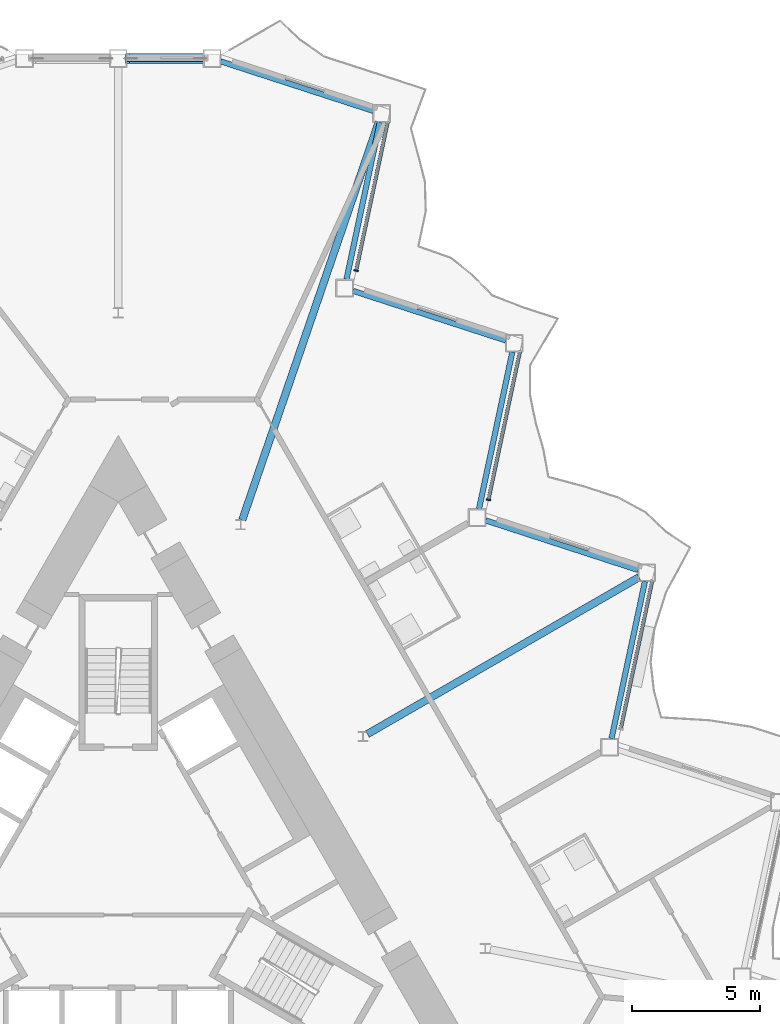
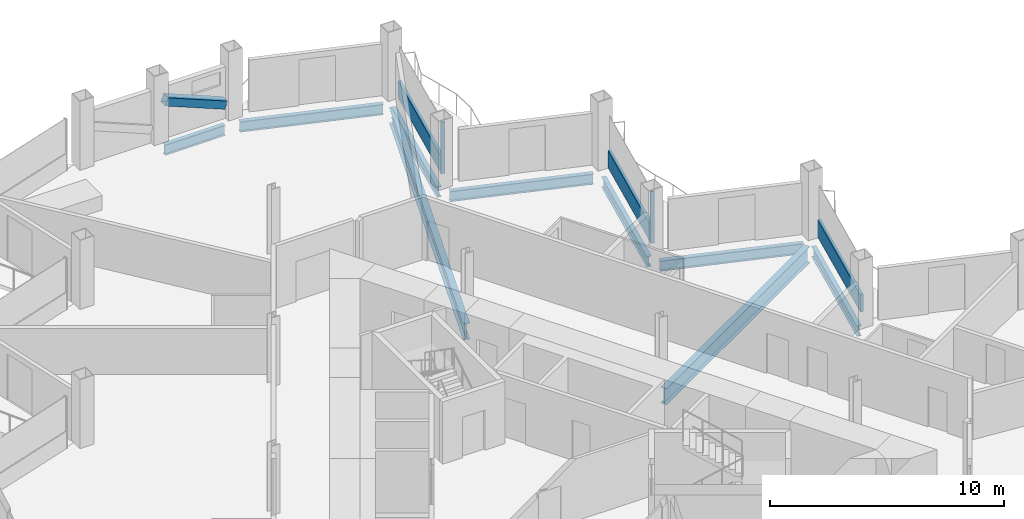
# One storey, part 9 of 23: 9 beams, 6 members, 3 elements without a shape of their own.
"""IFC4 building model written with IfcOpenShell, lengths in metres."""

from ifc_helpers import new_model, si_unit, direction, frame, origin, origin_2d, place, context, subcontext, project, spatial, rectangle, hollow_rectangle, i_section, extrude, material, layer, layer_set, material_profile, profile_set, type_object, element, aggregate, save


model = new_model("IFC4")

# Units and contexts
model_context = context("Model", 3, precision=1e-05, world=origin(), true_north=direction((0.0, 1.0)))
body_context = subcontext(model_context, "Body", "Model", "MODEL_VIEW")
ifc_project = project(units=[si_unit("LENGTHUNIT", "METRE"), si_unit("AREAUNIT", "SQUARE_METRE"), si_unit("VOLUMEUNIT", "CUBIC_METRE"), si_unit("PLANEANGLEUNIT", "RADIAN"), si_unit("MASSUNIT", "GRAM", prefix="KILO")], contexts=[model_context])

# Site, building, storey
site_placement = place(None, origin())
site = spatial("IfcSite", under=ifc_project, at=site_placement, CompositionType="ELEMENT")
building_placement = place(site_placement, origin())
building = spatial("IfcBuilding", under=site, at=building_placement, Name="Cormorant Prow Tower", CompositionType="ELEMENT")
storey_placement = place(building_placement, frame((0.0, 0.0, 259.800048828125)))
storey = spatial("IfcBuildingStorey", under=building, at=storey_placement, Name="L58", CompositionType="ELEMENT", Elevation=259.800048828125)

# Member
ifc_material_1 = material(Name="Structural steel ASTM A500 Gr C", Category="steel")
ifc_material_profile_1 = material_profile(ifc_material_1, hollow_rectangle(XDim=0.406494140625, YDim=0.406494140625, WallThickness=0.01171875, at=origin_2d()), Name="HSS16x16x1/2")
ifc_profile_set_1 = profile_set([ifc_material_profile_1], Name="Structural steel ASTM A500 Gr C")
member_type_1 = type_object("IfcMemberType", Name="Chamfer brace HSS16x16x1/2", PredefinedType="BRACE", material=ifc_profile_set_1)
member_1_placement = place(storey_placement, frame((3.3046875, 32.073486328125, 0.74951171875), z_axis=(-0.925591042089, 0.0, 0.37852506232), x_axis=(0.0, -1.0, 0.0)))
element("IfcMember", 1, at=member_1_placement, inside=storey, type_object=member_type_1, Name="Chamfer brace BR2 at N00 L58", PredefinedType="BRACE", context=body_context, shape_type="SweptSolid", body=[
    extrude(hollow_rectangle(XDim=0.406494140625, YDim=0.406494140625, WallThickness=0.01171875, at=origin_2d()), origin(), (0.0, 0.0, 1.0), 3.17529296875),
])

# Curtain wall, member
ifc_material_2 = material(Name="Aluminium 6063-T6", Category="aluminium")
ifc_layer = layer(ifc_material_2, 0.179931640625)
ifc_layer_set = layer_set([ifc_layer], Name="Aluminium 6063-T6")
curtain_wall_type = type_object("IfcCurtainWallType", Name="Hotel unitised curtain wall 180", PredefinedType="NOTDEFINED", material=ifc_layer_set)
curtain_wall_1_placement = place(storey_placement, origin())
curtain_wall_1 = element("IfcCurtainWall", 2, at=curtain_wall_1_placement, inside=storey, type_object=curtain_wall_type, Name="Hotel curtain wall ENE06", PredefinedType="NOTDEFINED")
ifc_material_3 = material(Name="Aluminium 6063-T6", Category="aluminium")
ifc_material_profile_2 = material_profile(ifc_material_3, rectangle(XDim=0.179931640625, YDim=0.06005859375, at=origin_2d()), Name="Hotel mullion 60x180")
ifc_profile_set_2 = profile_set([ifc_material_profile_2], Name="Aluminium 6063-T6")
member_type_2 = type_object("IfcMemberType", Name="Hotel mullion 60x180", PredefinedType="MULLION", material=ifc_profile_set_2)
member_2_placement = place(storey_placement, frame((14.489013671875, 14.8017578125, 0.0), z_axis=(0.0, 0.0, 1.0), x_axis=(-0.978147572038, 0.207911825822, 0.0)))
member_2 = element("IfcMember", 3, at=member_2_placement, type_object=member_type_2, Name="Hotel mullion ENE06", PredefinedType="MULLION", context=body_context, shape_type="SweptSolid", body=[
    extrude(rectangle(XDim=0.179931640625, YDim=0.06005859375, at=origin_2d()), origin(), (0.0, 0.0, 1.0), 2.700927734375),
])

curtain_wall_2_placement = place(storey_placement, origin())
curtain_wall_2 = element("IfcCurtainWall", 4, at=curtain_wall_2_placement, inside=storey, type_object=curtain_wall_type, Name="Hotel curtain wall ENE08", PredefinedType="NOTDEFINED")
member_3_placement = place(storey_placement, frame((9.3095703125, 23.77294921875, 0.0), z_axis=(0.0, 0.0, 1.0), x_axis=(-0.978147601216, 0.207911688547, 0.0)))
member_3 = element("IfcMember", 5, at=member_3_placement, type_object=member_type_2, Name="Hotel mullion ENE08", PredefinedType="MULLION", context=body_context, shape_type="SweptSolid", body=[
    extrude(rectangle(XDim=0.179931640625, YDim=0.06005859375, at=origin_2d()), origin(), (0.0, 0.0, 1.0), 2.700927734375),
])

curtain_wall_3_placement = place(storey_placement, origin())
curtain_wall_3 = element("IfcCurtainWall", 6, at=curtain_wall_3_placement, inside=storey, type_object=curtain_wall_type, Name="Hotel curtain wall ENE04", PredefinedType="NOTDEFINED")
ifc_material_4 = material(Name="Terracotta", Category="masonry")
ifc_material_profile_3 = material_profile(ifc_material_4, rectangle(XDim=0.139892578125, YDim=0.89990234375, at=origin_2d()), Name="Hotel terracotta spandrel rail 140x900")
ifc_profile_set_3 = profile_set([ifc_material_profile_3], Name="Terracotta")
member_type_3 = type_object("IfcMemberType", Name="Hotel terracotta spandrel rail 140x900", PredefinedType="USERDEFINED", material=ifc_profile_set_3)
member_4_placement = place(storey_placement, frame((19.6748046875, 5.85986328125, 0.449951171875), z_axis=(0.20791164107, 0.978147611308, 0.0), x_axis=(-0.978147611308, 0.20791164107, 0.0)))
member_4 = element("IfcMember", 7, at=member_4_placement, type_object=member_type_3, Name="Hotel spandrel rail ENE04", ObjectType="TRANSOM", PredefinedType="USERDEFINED", context=body_context, shape_type="SweptSolid", body=[
    extrude(rectangle(XDim=0.139892578125, YDim=0.89990234375, at=origin_2d()), origin(), (0.0, 0.0, 1.0), 5.90771484375),
])
aggregate(curtain_wall_3, [member_4])

# Member
member_5_placement = place(storey_placement, frame((14.495361328125, 14.8310546875, 0.449951171875), z_axis=(0.20791164107, 0.978147611308, 0.0), x_axis=(-0.978147611308, 0.20791164107, 0.0)))
member_5 = element("IfcMember", 8, at=member_5_placement, type_object=member_type_3, Name="Hotel spandrel rail ENE06", ObjectType="TRANSOM", PredefinedType="USERDEFINED", context=body_context, shape_type="SweptSolid", body=[
    extrude(rectangle(XDim=0.139892578125, YDim=0.89990234375, at=origin_2d()), origin(), (0.0, 0.0, 1.0), 5.90771484375),
])

aggregate(curtain_wall_1, [member_2, member_5])

member_6_placement = place(storey_placement, frame((9.31591796875, 23.80224609375, 0.449951171875), z_axis=(0.20791164107, 0.978147611308, 0.0), x_axis=(-0.978147611308, 0.20791164107, 0.0)))
member_6 = element("IfcMember", 9, at=member_6_placement, type_object=member_type_3, Name="Hotel spandrel rail ENE08", ObjectType="TRANSOM", PredefinedType="USERDEFINED", context=body_context, shape_type="SweptSolid", body=[
    extrude(rectangle(XDim=0.139892578125, YDim=0.89990234375, at=origin_2d()), origin(), (0.0, 0.0, 1.0), 5.90771484375),
])

aggregate(curtain_wall_2, [member_3, member_6])

# Beams
ifc_material_5 = material(Name="Structural steel ASTM A992 Gr 50", Category="steel")
ifc_material_profile_4 = material_profile(ifc_material_5, i_section(OverallWidth=0.29296875, OverallDepth=0.845703125, WebThickness=0.015380859375, FlangeThickness=0.0244140625, at=origin_2d()), Name="W33x141")
ifc_profile_set_4 = profile_set([ifc_material_profile_4], Name="Structural steel ASTM A992 Gr 50")
beam_type_1 = type_object("IfcBeamType", Name="Radial floor beam W33x141", PredefinedType="BEAM", material=ifc_profile_set_4)
beam_1_placement = place(storey_placement, frame((9.751220703125, 5.6298828125, -0.77294921875), z_axis=(0.866021995826, 0.500005902711, 0.0), x_axis=(-0.500005902711, 0.866021995826, 0.0)))
element("IfcBeam", 10, at=beam_1_placement, inside=storey, type_object=beam_type_1, Name="Radial floor beam FB2 11 L58", PredefinedType="BEAM", context=body_context, shape_type="SweptSolid", body=[
    extrude(i_section(OverallWidth=0.29296875, OverallDepth=0.845703125, WebThickness=0.015380859375, FlangeThickness=0.0244140625, at=origin_2d()), origin(), (0.0, 0.0, 1.0), 12.277099609375),
])
beam_2_placement = place(storey_placement, frame((4.85400390625, 14.013916015625, -0.77294921875), z_axis=(0.324535507117, 0.945873514071, 0.0), x_axis=(-0.945873514071, 0.324535507117, 0.0)))
element("IfcBeam", 11, at=beam_2_placement, inside=storey, type_object=beam_type_1, Name="Radial floor beam FB2 12 L58", PredefinedType="BEAM", context=body_context, shape_type="SweptSolid", body=[
    extrude(i_section(OverallWidth=0.29296875, OverallDepth=0.845703125, WebThickness=0.015380859375, FlangeThickness=0.0244140625, at=origin_2d()), origin(), (0.0, 0.0, 1.0), 16.462158203125),
])
ifc_material_6 = material(Name="Structural steel ASTM A992 Gr 50", Category="steel")
ifc_material_profile_5 = material_profile(ifc_material_6, i_section(OverallWidth=0.2138671875, OverallDepth=0.549072265625, WebThickness=0.0146484375, FlangeThickness=0.023681640625, at=origin_2d()), Name="W21x93")
ifc_profile_set_5 = profile_set([ifc_material_profile_5], Name="Structural steel ASTM A992 Gr 50")
beam_type_2 = type_object("IfcBeamType", Name="Spandrel beam W21x93", PredefinedType="SPANDREL", material=ifc_profile_set_5)
beam_3_placement = place(storey_placement, frame((19.307861328125, 5.456787109375, -0.62451171875), z_axis=(0.207933593793, 0.978142944856, 0.0), x_axis=(-0.978142944856, 0.207933593793, 0.0)))
element("IfcBeam", 12, at=beam_3_placement, inside=storey, type_object=beam_type_2, Name="Spandrel beam SB2 ENE04-ENE05 L58", PredefinedType="SPANDREL", context=body_context, shape_type="SweptSolid", body=[
    extrude(i_section(OverallWidth=0.2138671875, OverallDepth=0.549072265625, WebThickness=0.0146484375, FlangeThickness=0.023681640625, at=origin_2d()), origin(), (0.0, 0.0, 1.0), 6.281494140625),
])
beam_4_placement = place(storey_placement, frame((20.353759765625, 12.051513671875, -0.62451171875), z_axis=(-0.951050348284, 0.309035976918, 0.0), x_axis=(-0.309035976918, -0.951050348284, 0.0)))
element("IfcBeam", 13, at=beam_4_placement, inside=storey, type_object=beam_type_2, Name="Spandrel beam SB2 ENE05-ENE06 L58", PredefinedType="SPANDREL", context=body_context, shape_type="SweptSolid", body=[
    extrude(i_section(OverallWidth=0.2138671875, OverallDepth=0.549072265625, WebThickness=0.0146484375, FlangeThickness=0.023681640625, at=origin_2d()), origin(), (0.0, 0.0, 1.0), 6.28125),
])
beam_5_placement = place(storey_placement, frame((14.11962890625, 14.443115234375, -0.62451171875), z_axis=(0.207933593793, 0.978142944856, 0.0), x_axis=(-0.978142944856, 0.207933593793, 0.0)))
element("IfcBeam", 14, at=beam_5_placement, inside=storey, type_object=beam_type_2, Name="Spandrel beam SB2 ENE06-ENE07 L58", PredefinedType="SPANDREL", context=body_context, shape_type="SweptSolid", body=[
    extrude(i_section(OverallWidth=0.2138671875, OverallDepth=0.549072265625, WebThickness=0.0146484375, FlangeThickness=0.023681640625, at=origin_2d()), origin(), (0.0, 0.0, 1.0), 6.281494140625),
])
beam_6_placement = place(storey_placement, frame((15.16552734375, 21.037841796875, -0.62451171875), z_axis=(-0.951050348284, 0.309035976918, 0.0), x_axis=(-0.309035976918, -0.951050348284, 0.0)))
element("IfcBeam", 15, at=beam_6_placement, inside=storey, type_object=beam_type_2, Name="Spandrel beam SB2 ENE07-ENE08 L58", PredefinedType="SPANDREL", context=body_context, shape_type="SweptSolid", body=[
    extrude(i_section(OverallWidth=0.2138671875, OverallDepth=0.549072265625, WebThickness=0.0146484375, FlangeThickness=0.023681640625, at=origin_2d()), origin(), (0.0, 0.0, 1.0), 6.28125),
])
for number, where, z_axis, x_axis, name in (
    (16, (8.931396484375, 23.429443359375, -0.62451171875), (0.207896407679, 0.97815084914, 0.0), (-0.97815084914, 0.207896407679, 0.0), "Spandrel beam SB2 ENE08-ENE09 L58"),
    (17, (9.977294921875, 30.024169921875, -0.62451171875), (-0.951054060056, 0.309024553801, 0.0), (-0.309024553801, -0.951054060056, 0.0), "Spandrel beam SB2 ENE09-N00 L58"),
):
    element("IfcBeam", number, at=place(storey_placement, frame(where, z_axis=z_axis, x_axis=x_axis)), inside=storey, type_object=beam_type_2, Name=name, PredefinedType="SPANDREL", context=body_context, shape_type="SweptSolid", body=[
        extrude(i_section(OverallWidth=0.2138671875, OverallDepth=0.549072265625, WebThickness=0.0146484375, FlangeThickness=0.023681640625, at=origin_2d()), origin(), (0.0, 0.0, 1.0), 6.281494140625),
    ])
beam_7_placement = place(storey_placement, frame((3.3203125, 32.073486328125, -0.62451171875), z_axis=(-1.0, 0.0, 0.0), x_axis=(0.0, -1.0, 0.0)))
element("IfcBeam", 18, at=beam_7_placement, inside=storey, type_object=beam_type_2, Name="Spandrel beam SB2 N00-N01 L58", PredefinedType="SPANDREL", context=body_context, shape_type="SweptSolid", body=[
    extrude(i_section(OverallWidth=0.2138671875, OverallDepth=0.549072265625, WebThickness=0.0146484375, FlangeThickness=0.023681640625, at=origin_2d()), origin(), (0.0, 0.0, 1.0), 2.97021484375),
])

save(model, "model.ifc")
